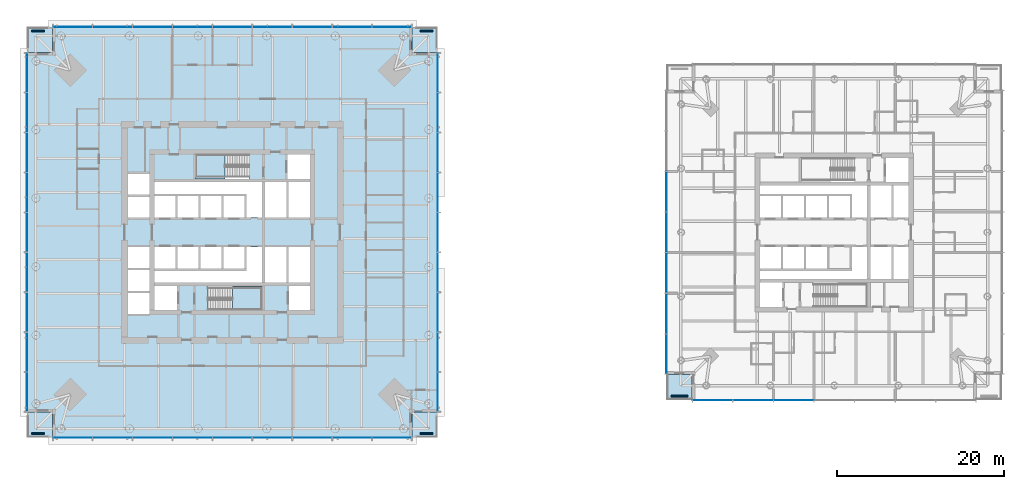
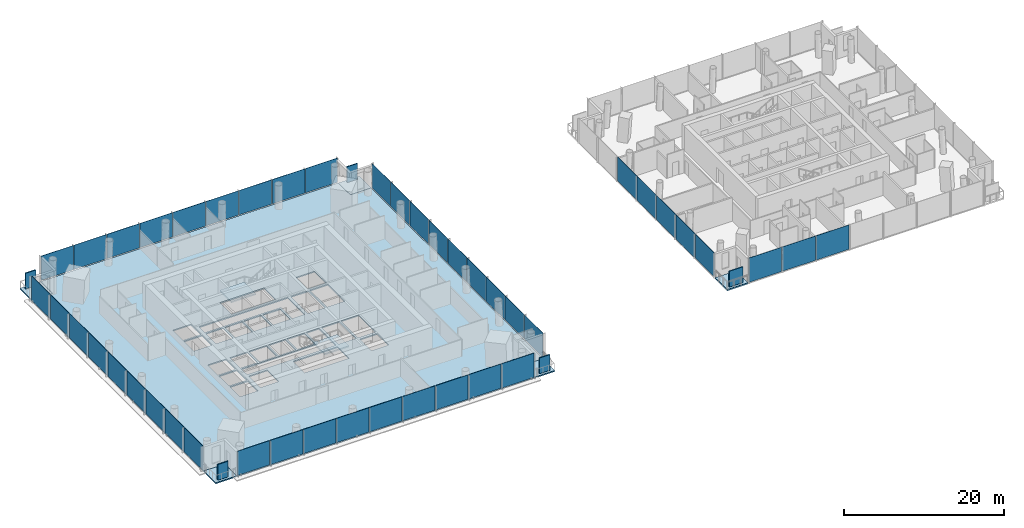
# One storey, part 7 of 26: 49 plates, 8 slabs, 8 elements without a shape of their own.
"""IFC4 building model written with IfcOpenShell, lengths in metres."""

from ifc_helpers import new_model, si_unit, direction, frame, origin, origin_2d, place, context, subcontext, project, spatial, polyline, rectangle, outline, extrude, material, layer, layer_set, type_object, element, aggregate, save


model = new_model("IFC4")

# Units and contexts
model_context = context("Model", 3, precision=1e-05, world=origin(), true_north=direction((0.0, 1.0)))
body_context = subcontext(model_context, "Body", "Model", "MODEL_VIEW")
ifc_project = project(units=[si_unit("LENGTHUNIT", "METRE"), si_unit("AREAUNIT", "SQUARE_METRE"), si_unit("VOLUMEUNIT", "CUBIC_METRE"), si_unit("PLANEANGLEUNIT", "RADIAN"), si_unit("MASSUNIT", "GRAM", prefix="KILO")], contexts=[model_context])

# Site, building, storey
site_placement = place(None, origin())
site = spatial("IfcSite", under=ifc_project, at=site_placement, CompositionType="ELEMENT")
building_placement = place(site_placement, origin())
building = spatial("IfcBuilding", under=site, at=building_placement, Name="Ostroluk Exchange", CompositionType="ELEMENT")
storey_placement = place(building_placement, frame((0.0, 0.0, 36.199951171875)))
storey = spatial("IfcBuildingStorey", under=building, at=storey_placement, Name="L08", CompositionType="ELEMENT", Elevation=36.199951171875)

# Curtain wall, plates
ifc_material_1 = material(Name="Laminated clear glass", Category="glass")
curtain_wall_type_1 = type_object("IfcCurtainWallType", Name="Hotel guest floor facade", PredefinedType="USERDEFINED", material=ifc_material_1)
curtain_wall_1_placement = place(storey_placement, origin())
curtain_wall_1 = element("IfcCurtainWall", 1, at=curtain_wall_1_placement, inside=storey, type_object=curtain_wall_type_1, Name="Hotel tower south facade L08", ObjectType="UNITISED CURTAIN WALL", PredefinedType="USERDEFINED")
ifc_material_2 = material(Name="Laminated clear glass", Category="glass")
ifc_layer_1 = layer(ifc_material_2, 0.0400390625)
ifc_layer_set_1 = layer_set([ifc_layer_1], Name="Acoustic laminated glazing 40")
plate_type_1 = type_object("IfcPlateType", Name="Acoustic laminated glazing 40", PredefinedType="CURTAIN_PANEL", material=ifc_layer_set_1)
plate_1_placement = place(storey_placement, frame((102.448486328125, 25.925048828125, 0.080078125), z_axis=(0.0, 0.0, 1.0), x_axis=(1.0, 0.0, 0.0)))
plate_1 = element("IfcPlate", 2, at=plate_1_placement, type_object=plate_type_1, Name="CW-H1 panel 1.1", PredefinedType="CURTAIN_PANEL", context=body_context, shape_type="SweptSolid", body=[
    extrude(rectangle(XDim=4.737060546875, YDim=0.0400390625, at=origin_2d()), origin(), (0.0, 0.0, 1.0), 3.719970703125),
])
plate_2_placement = place(storey_placement, frame((107.28564453125, 25.925048828125, 0.080078125), z_axis=(0.0, 0.0, 1.0), x_axis=(1.0, 0.0, 0.0)))
plate_2 = element("IfcPlate", 3, at=plate_2_placement, type_object=plate_type_1, Name="CW-H1 panel 2.1", PredefinedType="CURTAIN_PANEL", context=body_context, shape_type="SweptSolid", body=[
    extrude(rectangle(XDim=4.777099609375, YDim=0.0400390625, at=origin_2d()), origin(), (0.0, 0.0, 1.0), 3.719970703125),
])
plate_3_placement = place(storey_placement, frame((112.142822265625, 25.925048828125, 0.080078125), z_axis=(0.0, 0.0, 1.0), x_axis=(1.0, 0.0, 0.0)))
plate_3 = element("IfcPlate", 4, at=plate_3_placement, type_object=plate_type_1, Name="CW-H1 panel 3.1", PredefinedType="CURTAIN_PANEL", context=body_context, shape_type="SweptSolid", body=[
    extrude(rectangle(XDim=4.777099609375, YDim=0.0400390625, at=origin_2d()), origin(), (0.0, 0.0, 1.0), 3.719970703125),
])
aggregate(curtain_wall_1, [plate_1, plate_2, plate_3])

curtain_wall_2_placement = place(storey_placement, origin())
curtain_wall_2 = element("IfcCurtainWall", 5, at=curtain_wall_2_placement, inside=storey, type_object=curtain_wall_type_1, Name="Hotel tower west facade L08", ObjectType="UNITISED CURTAIN WALL", PredefinedType="USERDEFINED")
plate_4_placement = place(storey_placement, frame((96.925048828125, 50.857177734375, 0.080078125), z_axis=(0.0, 0.0, 1.0), x_axis=(0.0, -1.0, 0.0)))
plate_4 = element("IfcPlate", 6, at=plate_4_placement, type_object=plate_type_1, Name="CW-H1 panel 3.1", PredefinedType="CURTAIN_PANEL", context=body_context, shape_type="SweptSolid", body=[
    extrude(rectangle(XDim=4.777099609375, YDim=0.0400390625, at=origin_2d()), origin(), (0.0, 0.0, 1.0), 3.719970703125),
])
plate_5_placement = place(storey_placement, frame((96.925048828125, 46.0, 0.080078125), z_axis=(0.0, 0.0, 1.0), x_axis=(0.0, -1.0, 0.0)))
plate_5 = element("IfcPlate", 7, at=plate_5_placement, type_object=plate_type_1, Name="CW-H1 panel 4.1", PredefinedType="CURTAIN_PANEL", context=body_context, shape_type="SweptSolid", body=[
    extrude(rectangle(XDim=4.777099609375, YDim=0.0400390625, at=origin_2d()), origin(), (0.0, 0.0, 1.0), 3.719970703125),
])
plate_6_placement = place(storey_placement, frame((96.925048828125, 41.142822265625, 0.080078125), z_axis=(0.0, 0.0, 1.0), x_axis=(0.0, -1.0, 0.0)))
plate_6 = element("IfcPlate", 8, at=plate_6_placement, type_object=plate_type_1, Name="CW-H1 panel 5.1", PredefinedType="CURTAIN_PANEL", context=body_context, shape_type="SweptSolid", body=[
    extrude(rectangle(XDim=4.777099609375, YDim=0.0400390625, at=origin_2d()), origin(), (0.0, 0.0, 1.0), 3.719970703125),
])
plate_7_placement = place(storey_placement, frame((96.925048828125, 36.28564453125, 0.080078125), z_axis=(0.0, 0.0, 1.0), x_axis=(0.0, -1.0, 0.0)))
plate_7 = element("IfcPlate", 9, at=plate_7_placement, type_object=plate_type_1, Name="CW-H1 panel 6.1", PredefinedType="CURTAIN_PANEL", context=body_context, shape_type="SweptSolid", body=[
    extrude(rectangle(XDim=4.777099609375, YDim=0.0400390625, at=origin_2d()), origin(), (0.0, 0.0, 1.0), 3.719970703125),
])
plate_8_placement = place(storey_placement, frame((96.925048828125, 31.448486328125, 0.080078125), z_axis=(0.0, 0.0, 1.0), x_axis=(0.0, -1.0, 0.0)))
plate_8 = element("IfcPlate", 10, at=plate_8_placement, type_object=plate_type_1, Name="CW-H1 panel 7.1", PredefinedType="CURTAIN_PANEL", context=body_context, shape_type="SweptSolid", body=[
    extrude(rectangle(XDim=4.737060546875, YDim=0.0400390625, at=origin_2d()), origin(), (0.0, 0.0, 1.0), 3.719970703125),
])
aggregate(curtain_wall_2, [plate_4, plate_5, plate_6, plate_7, plate_8])

# Slabs
ifc_material_3 = material(Name="Concrete C35/45", Category="concrete")
ifc_layer_2 = layer(ifc_material_3, 0.179931640625)
ifc_layer_set_2 = layer_set([ifc_layer_2], Name="Balcony slab 180")
slab_type_1 = type_object("IfcSlabType", Name="Balcony slab 180", PredefinedType="USERDEFINED", material=ifc_layer_set_2)
slab_1_placement = place(storey_placement, frame((0.0, 0.0, -0.179931640625)))
element("IfcSlab", 11, at=slab_1_placement, inside=storey, type_object=slab_type_1, Name="Office tower SE corner balcony L08", ObjectType="BALCONY", PredefinedType="USERDEFINED", context=body_context, shape_type="SweptSolid", body=[
    extrude(outline(polyline([(66.5, 21.5), (69.5, 21.5), (69.5, 24.5), (66.5, 24.5), (66.5, 21.5)])), origin(), (0.0, 0.0, 1.0), 0.179931640625),
])
slab_2_placement = place(storey_placement, frame((0.0, 0.0, -0.179931640625)))
element("IfcSlab", 12, at=slab_2_placement, inside=storey, type_object=slab_type_1, Name="Office tower NE corner balcony L08", ObjectType="BALCONY", PredefinedType="USERDEFINED", context=body_context, shape_type="SweptSolid", body=[
    extrude(outline(polyline([(66.5, 67.5), (69.5, 67.5), (69.5, 70.5), (66.5, 70.5), (66.5, 67.5)])), origin(), (0.0, 0.0, 1.0), 0.179931640625),
])
slab_3_placement = place(storey_placement, frame((0.0, 0.0, -0.179931640625)))
element("IfcSlab", 13, at=slab_3_placement, inside=storey, type_object=slab_type_1, Name="Office tower NW corner balcony L08", ObjectType="BALCONY", PredefinedType="USERDEFINED", context=body_context, shape_type="SweptSolid", body=[
    extrude(outline(polyline([(20.5, 67.5), (23.5, 67.5), (23.5, 70.5), (20.5, 70.5), (20.5, 67.5)])), origin(), (0.0, 0.0, 1.0), 0.179931640625),
])
slab_4_placement = place(storey_placement, frame((0.0, 0.0, -0.179931640625)))
element("IfcSlab", 14, at=slab_4_placement, inside=storey, type_object=slab_type_1, Name="Office tower SW corner balcony L08", ObjectType="BALCONY", PredefinedType="USERDEFINED", context=body_context, shape_type="SweptSolid", body=[
    extrude(outline(polyline([(20.5, 21.5), (23.5, 21.5), (23.5, 24.5), (20.5, 24.5), (20.5, 21.5)])), origin(), (0.0, 0.0, 1.0), 0.179931640625),
])
ifc_material_4 = material(Name="Concrete C35/45", Category="concrete")
ifc_layer_3 = layer(ifc_material_4, 0.199951171875)
ifc_layer_set_3 = layer_set([ifc_layer_3], Name="Balcony slab 200")
slab_type_2 = type_object("IfcSlabType", Name="Balcony slab 200", PredefinedType="USERDEFINED", material=ifc_layer_set_3)
slab_5_placement = place(storey_placement, frame((0.0, 0.0, -0.199951171875)))
element("IfcSlab", 15, at=slab_5_placement, inside=storey, type_object=slab_type_2, Name="Hotel tower SW corner balcony L08", ObjectType="BALCONY", PredefinedType="USERDEFINED", context=body_context, shape_type="SweptSolid", body=[
    extrude(outline(polyline([(97.0, 26.0), (100.0, 26.0), (100.0, 29.0), (97.0, 29.0), (97.0, 26.0)])), origin(), (0.0, 0.0, 1.0), 0.199951171875),
])

# Plates
ifc_material_5 = material(Name="Steel S355 trellis with planting", Category="steel")
ifc_layer_4 = layer(ifc_material_5, 0.14990234375)
ifc_layer_set_4 = layer_set([ifc_layer_4], Name="Planted screen 150")
plate_type_2 = type_object("IfcPlateType", Name="Planted screen 150", PredefinedType="USERDEFINED", material=ifc_layer_set_4)
for number, where, z_axis, x_axis, name in (
    (16, (68.25, 21.925048828125, 0.0), (0.0, 0.0, 1.0), (1.0, 0.0, 0.0), "Office tower SE planted screen L08"),
    (17, (68.25, 70.074951171875, 0.0), (0.0, 0.0, 1.0), (1.0, 0.0, 0.0), "Office tower NE planted screen L08"),
    (18, (21.75, 70.074951171875, 0.0), (0.0, 0.0, 1.0), (1.0, 0.0, 0.0), "Office tower NW planted screen L08"),
    (19, (21.75, 21.925048828125, 0.0), (0.0, 0.0, 1.0), (1.0, 0.0, 0.0), "Office tower SW planted screen L08"),
):
    element("IfcPlate", number, at=place(storey_placement, frame(where, z_axis=z_axis, x_axis=x_axis)), inside=storey, type_object=plate_type_2, Name=name, ObjectType="PLANTED SCREEN", PredefinedType="USERDEFINED", context=body_context, shape_type="SweptSolid", body=[
        extrude(rectangle(XDim=1.5, YDim=0.14990234375, at=origin_2d()), origin(), (0.0, 0.0, 1.0), 2.39990234375),
    ])
plate_9_placement = place(storey_placement, frame((98.5, 26.425048828125, 0.0), z_axis=(0.0, 0.0, 1.0), x_axis=(1.0, 0.0, 0.0)))
element("IfcPlate", 20, at=plate_9_placement, inside=storey, type_object=plate_type_2, Name="Hotel tower SW planted screen L08", ObjectType="PLANTED SCREEN", PredefinedType="USERDEFINED", context=body_context, shape_type="SweptSolid", body=[
    extrude(rectangle(XDim=2.0, YDim=0.14990234375, at=origin_2d()), origin(), (0.0, 0.0, 1.0), 2.39990234375),
])

# Stair, slab
ifc_material_6 = material(Name="Concrete C30/37", Category="concrete")
stair_type = type_object("IfcStairType", Name="Exit stair half turn 3800", PredefinedType="HALF_TURN_STAIR", material=ifc_material_6)
stair_1_placement = place(storey_placement, origin())
stair_1 = element("IfcStair", 21, at=stair_1_placement, inside=storey, type_object=stair_type, Name="Stair T1-S1 L08", PredefinedType="HALF_TURN_STAIR")
ifc_material_7 = material(Name="Concrete C30/37", Category="concrete")
ifc_layer_5 = layer(ifc_material_7, 0.199951171875)
ifc_layer_set_5 = layer_set([ifc_layer_5], Name="Stair landing 200")
slab_type_3 = type_object("IfcSlabType", Name="Stair landing 200", PredefinedType="LANDING", material=ifc_layer_set_5)
slab_6_placement = place(storey_placement, frame((0.0, 0.0, 1.699951171875)))
slab_6 = element("IfcSlab", 22, at=slab_6_placement, type_object=slab_type_3, Name="T1-S1 landing 1", PredefinedType="LANDING", context=body_context, shape_type="SweptSolid", body=[
    extrude(outline(polyline([(45.0, 36.699951171875), (45.0, 39.60009765625), (48.530029296875, 39.60009765625), (48.530029296875, 36.699951171875), (45.0, 36.699951171875)])), origin(), (0.0, 0.0, 1.0), 0.2001953125),
])
aggregate(stair_1, [slab_6])

stair_2_placement = place(storey_placement, origin())
stair_2 = element("IfcStair", 23, at=stair_2_placement, inside=storey, type_object=stair_type, Name="Stair T1-S2 L08", PredefinedType="HALF_TURN_STAIR")
slab_7_placement = place(storey_placement, frame((0.0, 0.0, 1.699951171875)))
slab_7 = element("IfcSlab", 24, at=slab_7_placement, type_object=slab_type_3, Name="T1-S2 landing 1", PredefinedType="LANDING", context=body_context, shape_type="SweptSolid", body=[
    extrude(outline(polyline([(44.1298828125, 52.39990234375), (44.1298828125, 55.300048828125), (40.60009765625, 55.300048828125), (40.60009765625, 52.39990234375), (44.1298828125, 52.39990234375)])), origin(), (0.0, 0.0, 1.0), 0.2001953125),
])
aggregate(stair_2, [slab_7])

# Slab
ifc_material_8 = material(Name="Concrete C35/45", Category="concrete")
ifc_layer_6 = layer(ifc_material_8, 0.179931640625)
ifc_layer_set_6 = layer_set([ifc_layer_6], Name="Tower floor slab 180 composite")
slab_type_4 = type_object("IfcSlabType", Name="Tower floor slab 180 composite", PredefinedType="FLOOR", material=ifc_layer_set_6)
slab_8_placement = place(storey_placement, frame((0.0, 0.0, -0.179931640625)))
element("IfcSlab", 25, at=slab_8_placement, inside=storey, type_object=slab_type_4, Name="Office tower floor slab L08", PredefinedType="FLOOR", context=body_context, shape_type="SweptSolid", body=[
    extrude(outline(polyline([(23.5, 21.5), (66.5, 21.5), (66.5, 24.5), (69.5, 24.5), (69.5, 67.5), (66.5, 67.5), (66.5, 70.5), (23.5, 70.5), (23.5, 67.5), (20.5, 67.5), (20.5, 24.5), (23.5, 24.5), (23.5, 21.5)]), holes=[polyline([(35.699951171875, 36.699951171875), (38.39990234375, 36.699951171875), (38.39990234375, 39.60009765625), (35.699951171875, 39.60009765625), (35.699951171875, 36.699951171875)]), polyline([(42.110107421875, 36.699951171875), (48.530029296875, 36.699951171875), (48.530029296875, 39.60009765625), (42.110107421875, 39.60009765625), (42.110107421875, 36.699951171875)]), polyline([(51.800048828125, 36.699951171875), (54.300048828125, 36.699951171875), (54.300048828125, 39.60009765625), (51.800048828125, 39.60009765625), (51.800048828125, 36.699951171875)]), polyline([(40.60009765625, 52.39990234375), (47.02001953125, 52.39990234375), (47.02001953125, 55.300048828125), (40.60009765625, 55.300048828125), (40.60009765625, 52.39990234375)]), polyline([(51.60009765625, 52.39990234375), (54.300048828125, 52.39990234375), (54.300048828125, 55.300048828125), (51.60009765625, 55.300048828125), (51.60009765625, 52.39990234375)]), polyline([(35.699951171875, 47.75), (38.199951171875, 47.75), (38.199951171875, 50.35009765625), (35.699951171875, 50.35009765625), (35.699951171875, 47.75)]), polyline([(38.449951171875, 47.75), (40.949951171875, 47.75), (40.949951171875, 50.35009765625), (38.449951171875, 50.35009765625), (38.449951171875, 47.75)]), polyline([(41.199951171875, 47.75), (43.699951171875, 47.75), (43.699951171875, 50.35009765625), (41.199951171875, 50.35009765625), (41.199951171875, 47.75)]), polyline([(43.949951171875, 47.75), (46.449951171875, 47.75), (46.449951171875, 50.35009765625), (43.949951171875, 50.35009765625), (43.949951171875, 47.75)]), polyline([(35.699951171875, 41.64990234375), (38.199951171875, 41.64990234375), (38.199951171875, 44.25), (35.699951171875, 44.25), (35.699951171875, 41.64990234375)]), polyline([(38.449951171875, 41.64990234375), (40.949951171875, 41.64990234375), (40.949951171875, 44.25), (38.449951171875, 44.25), (38.449951171875, 41.64990234375)]), polyline([(41.199951171875, 41.64990234375), (43.699951171875, 41.64990234375), (43.699951171875, 44.25), (41.199951171875, 44.25), (41.199951171875, 41.64990234375)]), polyline([(43.949951171875, 41.64990234375), (46.449951171875, 41.64990234375), (46.449951171875, 44.25), (43.949951171875, 44.25), (43.949951171875, 41.64990234375)]), polyline([(48.929931640625, 47.75), (51.489990234375, 47.75), (51.489990234375, 52.0), (48.929931640625, 52.0), (48.929931640625, 47.75)]), polyline([(51.739990234375, 47.75), (54.300048828125, 47.75), (54.300048828125, 52.0), (51.739990234375, 52.0), (51.739990234375, 47.75)]), polyline([(48.929931640625, 40.0), (51.489990234375, 40.0), (51.489990234375, 44.25), (48.929931640625, 44.25), (48.929931640625, 40.0)]), polyline([(51.739990234375, 40.0), (54.300048828125, 40.0), (54.300048828125, 44.25), (51.739990234375, 44.25), (51.739990234375, 40.0)]), polyline([(48.530029296875, 52.0), (48.530029296875, 47.75), (46.699951171875, 47.75), (46.699951171875, 50.60009765625), (35.699951171875, 50.60009765625), (35.699951171875, 52.0), (48.530029296875, 52.0)]), polyline([(35.699951171875, 40.0), (35.699951171875, 41.39990234375), (46.699951171875, 41.39990234375), (46.699951171875, 44.25), (48.530029296875, 44.25), (48.530029296875, 40.0), (35.699951171875, 40.0)]), polyline([(32.5, 36.25), (35.10009765625, 36.25), (35.10009765625, 38.75), (32.5, 38.75), (32.5, 36.25)]), polyline([(32.5, 39.0), (35.10009765625, 39.0), (35.10009765625, 41.5), (32.5, 41.5), (32.5, 39.0)]), polyline([(32.5, 41.75), (35.10009765625, 41.75), (35.10009765625, 44.25), (32.5, 44.25), (32.5, 41.75)]), polyline([(32.5, 47.75), (35.10009765625, 47.75), (35.10009765625, 50.25), (32.5, 50.25), (32.5, 47.75)]), polyline([(32.5, 50.5), (35.10009765625, 50.5), (35.10009765625, 53.0), (32.5, 53.0), (32.5, 50.5)])]), origin(), (0.0, 0.0, 1.0), 0.179931640625),
])

# Curtain wall, plates
ifc_material_9 = material(Name="Laminated clear glass", Category="glass")
curtain_wall_type_2 = type_object("IfcCurtainWallType", Name="Office tower facade", PredefinedType="USERDEFINED", material=ifc_material_9)
curtain_wall_3_placement = place(storey_placement, origin())
curtain_wall_3 = element("IfcCurtainWall", 26, at=curtain_wall_3_placement, inside=storey, type_object=curtain_wall_type_2, Name="Office tower south facade L08", ObjectType="UNITISED CURTAIN WALL", PredefinedType="USERDEFINED")
ifc_material_10 = material(Name="Laminated clear glass", Category="glass")
ifc_layer_7 = layer(ifc_material_10, 0.0439453125)
ifc_layer_set_7 = layer_set([ifc_layer_7], Name="Triple laminated clear glazing 44")
plate_type_3 = type_object("IfcPlateType", Name="Triple laminated clear glazing 44", PredefinedType="CURTAIN_PANEL", material=ifc_layer_set_7)
plate_10_placement = place(storey_placement, frame((25.908935546875, 21.425048828125, 0.080078125), z_axis=(0.0, 0.0, 1.0), x_axis=(1.0, 0.0, 0.0)))
plate_10 = element("IfcPlate", 27, at=plate_10_placement, type_object=plate_type_3, Name="CW-O1 panel 1.1", PredefinedType="CURTAIN_PANEL", context=body_context, shape_type="SweptSolid", body=[
    extrude(rectangle(XDim=4.65771484375, YDim=0.0439453125, at=origin_2d()), origin(), (0.0, 0.0, 1.0), 3.719970703125),
])
plate_11_placement = place(storey_placement, frame((30.666748046875, 21.425048828125, 0.080078125), z_axis=(0.0, 0.0, 1.0), x_axis=(1.0, 0.0, 0.0)))
plate_11 = element("IfcPlate", 28, at=plate_11_placement, type_object=plate_type_3, Name="CW-O1 panel 2.1", PredefinedType="CURTAIN_PANEL", context=body_context, shape_type="SweptSolid", body=[
    extrude(rectangle(XDim=4.69775390625, YDim=0.0439453125, at=origin_2d()), origin(), (0.0, 0.0, 1.0), 3.719970703125),
])
plate_12_placement = place(storey_placement, frame((35.4443359375, 21.425048828125, 0.080078125), z_axis=(0.0, 0.0, 1.0), x_axis=(1.0, 0.0, 0.0)))
plate_12 = element("IfcPlate", 29, at=plate_12_placement, type_object=plate_type_3, Name="CW-O1 panel 3.1", PredefinedType="CURTAIN_PANEL", context=body_context, shape_type="SweptSolid", body=[
    extrude(rectangle(XDim=4.69775390625, YDim=0.0439453125, at=origin_2d()), origin(), (0.0, 0.0, 1.0), 3.719970703125),
])
plate_13_placement = place(storey_placement, frame((40.22216796875, 21.425048828125, 0.080078125), z_axis=(0.0, 0.0, 1.0), x_axis=(1.0, 0.0, 0.0)))
plate_13 = element("IfcPlate", 30, at=plate_13_placement, type_object=plate_type_3, Name="CW-O1 panel 4.1", PredefinedType="CURTAIN_PANEL", context=body_context, shape_type="SweptSolid", body=[
    extrude(rectangle(XDim=4.69775390625, YDim=0.0439453125, at=origin_2d()), origin(), (0.0, 0.0, 1.0), 3.719970703125),
])
plate_14_placement = place(storey_placement, frame((45.0, 21.425048828125, 0.080078125), z_axis=(0.0, 0.0, 1.0), x_axis=(1.0, 0.0, 0.0)))
plate_14 = element("IfcPlate", 31, at=plate_14_placement, type_object=plate_type_3, Name="CW-O1 panel 5.1", PredefinedType="CURTAIN_PANEL", context=body_context, shape_type="SweptSolid", body=[
    extrude(rectangle(XDim=4.69775390625, YDim=0.0439453125, at=origin_2d()), origin(), (0.0, 0.0, 1.0), 3.719970703125),
])
plate_15_placement = place(storey_placement, frame((49.77783203125, 21.425048828125, 0.080078125), z_axis=(0.0, 0.0, 1.0), x_axis=(1.0, 0.0, 0.0)))
plate_15 = element("IfcPlate", 32, at=plate_15_placement, type_object=plate_type_3, Name="CW-O1 panel 6.1", PredefinedType="CURTAIN_PANEL", context=body_context, shape_type="SweptSolid", body=[
    extrude(rectangle(XDim=4.69775390625, YDim=0.0439453125, at=origin_2d()), origin(), (0.0, 0.0, 1.0), 3.719970703125),
])
plate_16_placement = place(storey_placement, frame((54.5556640625, 21.425048828125, 0.080078125), z_axis=(0.0, 0.0, 1.0), x_axis=(1.0, 0.0, 0.0)))
plate_16 = element("IfcPlate", 33, at=plate_16_placement, type_object=plate_type_3, Name="CW-O1 panel 7.1", PredefinedType="CURTAIN_PANEL", context=body_context, shape_type="SweptSolid", body=[
    extrude(rectangle(XDim=4.69775390625, YDim=0.0439453125, at=origin_2d()), origin(), (0.0, 0.0, 1.0), 3.719970703125),
])
plate_17_placement = place(storey_placement, frame((59.333251953125, 21.425048828125, 0.080078125), z_axis=(0.0, 0.0, 1.0), x_axis=(1.0, 0.0, 0.0)))
plate_17 = element("IfcPlate", 34, at=plate_17_placement, type_object=plate_type_3, Name="CW-O1 panel 8.1", PredefinedType="CURTAIN_PANEL", context=body_context, shape_type="SweptSolid", body=[
    extrude(rectangle(XDim=4.69775390625, YDim=0.0439453125, at=origin_2d()), origin(), (0.0, 0.0, 1.0), 3.719970703125),
])
plate_18_placement = place(storey_placement, frame((64.091064453125, 21.425048828125, 0.080078125), z_axis=(0.0, 0.0, 1.0), x_axis=(1.0, 0.0, 0.0)))
plate_18 = element("IfcPlate", 35, at=plate_18_placement, type_object=plate_type_3, Name="CW-O1 panel 9.1", PredefinedType="CURTAIN_PANEL", context=body_context, shape_type="SweptSolid", body=[
    extrude(rectangle(XDim=4.65771484375, YDim=0.0439453125, at=origin_2d()), origin(), (0.0, 0.0, 1.0), 3.719970703125),
])
aggregate(curtain_wall_3, [plate_10, plate_11, plate_12, plate_13, plate_14, plate_15, plate_16, plate_17, plate_18])

curtain_wall_4_placement = place(storey_placement, origin())
curtain_wall_4 = element("IfcCurtainWall", 36, at=curtain_wall_4_placement, inside=storey, type_object=curtain_wall_type_2, Name="Office tower east facade L08", ObjectType="UNITISED CURTAIN WALL", PredefinedType="USERDEFINED")
plate_19_placement = place(storey_placement, frame((69.574951171875, 26.908935546875, 0.080078125), z_axis=(0.0, 0.0, 1.0), x_axis=(0.0, 1.0, 0.0)))
plate_19 = element("IfcPlate", 37, at=plate_19_placement, type_object=plate_type_3, Name="CW-O1 panel 1.1", PredefinedType="CURTAIN_PANEL", context=body_context, shape_type="SweptSolid", body=[
    extrude(rectangle(XDim=4.65771484375, YDim=0.0439453125, at=origin_2d()), origin(), (0.0, 0.0, 1.0), 3.719970703125),
])
plate_20_placement = place(storey_placement, frame((69.574951171875, 31.666748046875, 0.080078125), z_axis=(0.0, 0.0, 1.0), x_axis=(0.0, 1.0, 0.0)))
plate_20 = element("IfcPlate", 38, at=plate_20_placement, type_object=plate_type_3, Name="CW-O1 panel 2.1", PredefinedType="CURTAIN_PANEL", context=body_context, shape_type="SweptSolid", body=[
    extrude(rectangle(XDim=4.69775390625, YDim=0.0439453125, at=origin_2d()), origin(), (0.0, 0.0, 1.0), 3.719970703125),
])
plate_21_placement = place(storey_placement, frame((69.574951171875, 36.4443359375, 0.080078125), z_axis=(0.0, 0.0, 1.0), x_axis=(0.0, 1.0, 0.0)))
plate_21 = element("IfcPlate", 39, at=plate_21_placement, type_object=plate_type_3, Name="CW-O1 panel 3.1", PredefinedType="CURTAIN_PANEL", context=body_context, shape_type="SweptSolid", body=[
    extrude(rectangle(XDim=4.69775390625, YDim=0.0439453125, at=origin_2d()), origin(), (0.0, 0.0, 1.0), 3.719970703125),
])
plate_22_placement = place(storey_placement, frame((69.574951171875, 41.22216796875, 0.080078125), z_axis=(0.0, 0.0, 1.0), x_axis=(0.0, 1.0, 0.0)))
plate_22 = element("IfcPlate", 40, at=plate_22_placement, type_object=plate_type_3, Name="CW-O1 panel 4.1", PredefinedType="CURTAIN_PANEL", context=body_context, shape_type="SweptSolid", body=[
    extrude(rectangle(XDim=4.69775390625, YDim=0.0439453125, at=origin_2d()), origin(), (0.0, 0.0, 1.0), 3.719970703125),
])
plate_23_placement = place(storey_placement, frame((69.574951171875, 46.0, 0.080078125), z_axis=(0.0, 0.0, 1.0), x_axis=(0.0, 1.0, 0.0)))
plate_23 = element("IfcPlate", 41, at=plate_23_placement, type_object=plate_type_3, Name="CW-O1 panel 5.1", PredefinedType="CURTAIN_PANEL", context=body_context, shape_type="SweptSolid", body=[
    extrude(rectangle(XDim=4.69775390625, YDim=0.0439453125, at=origin_2d()), origin(), (0.0, 0.0, 1.0), 3.719970703125),
])
plate_24_placement = place(storey_placement, frame((69.574951171875, 50.77783203125, 0.080078125), z_axis=(0.0, 0.0, 1.0), x_axis=(0.0, 1.0, 0.0)))
plate_24 = element("IfcPlate", 42, at=plate_24_placement, type_object=plate_type_3, Name="CW-O1 panel 6.1", PredefinedType="CURTAIN_PANEL", context=body_context, shape_type="SweptSolid", body=[
    extrude(rectangle(XDim=4.69775390625, YDim=0.0439453125, at=origin_2d()), origin(), (0.0, 0.0, 1.0), 3.719970703125),
])
plate_25_placement = place(storey_placement, frame((69.574951171875, 55.5556640625, 0.080078125), z_axis=(0.0, 0.0, 1.0), x_axis=(0.0, 1.0, 0.0)))
plate_25 = element("IfcPlate", 43, at=plate_25_placement, type_object=plate_type_3, Name="CW-O1 panel 7.1", PredefinedType="CURTAIN_PANEL", context=body_context, shape_type="SweptSolid", body=[
    extrude(rectangle(XDim=4.69775390625, YDim=0.0439453125, at=origin_2d()), origin(), (0.0, 0.0, 1.0), 3.719970703125),
])
plate_26_placement = place(storey_placement, frame((69.574951171875, 60.333251953125, 0.080078125), z_axis=(0.0, 0.0, 1.0), x_axis=(0.0, 1.0, 0.0)))
plate_26 = element("IfcPlate", 44, at=plate_26_placement, type_object=plate_type_3, Name="CW-O1 panel 8.1", PredefinedType="CURTAIN_PANEL", context=body_context, shape_type="SweptSolid", body=[
    extrude(rectangle(XDim=4.69775390625, YDim=0.0439453125, at=origin_2d()), origin(), (0.0, 0.0, 1.0), 3.719970703125),
])
plate_27_placement = place(storey_placement, frame((69.574951171875, 65.091064453125, 0.080078125), z_axis=(0.0, 0.0, 1.0), x_axis=(0.0, 1.0, 0.0)))
plate_27 = element("IfcPlate", 45, at=plate_27_placement, type_object=plate_type_3, Name="CW-O1 panel 9.1", PredefinedType="CURTAIN_PANEL", context=body_context, shape_type="SweptSolid", body=[
    extrude(rectangle(XDim=4.65771484375, YDim=0.0439453125, at=origin_2d()), origin(), (0.0, 0.0, 1.0), 3.719970703125),
])
aggregate(curtain_wall_4, [plate_19, plate_20, plate_21, plate_22, plate_23, plate_24, plate_25, plate_26, plate_27])

curtain_wall_5_placement = place(storey_placement, origin())
curtain_wall_5 = element("IfcCurtainWall", 46, at=curtain_wall_5_placement, inside=storey, type_object=curtain_wall_type_2, Name="Office tower north facade L08", ObjectType="UNITISED CURTAIN WALL", PredefinedType="USERDEFINED")
plate_28_placement = place(storey_placement, frame((64.091064453125, 70.574951171875, 0.080078125), z_axis=(0.0, 0.0, 1.0), x_axis=(-1.0, 0.0, 0.0)))
plate_28 = element("IfcPlate", 47, at=plate_28_placement, type_object=plate_type_3, Name="CW-O1 panel 1.1", PredefinedType="CURTAIN_PANEL", context=body_context, shape_type="SweptSolid", body=[
    extrude(rectangle(XDim=4.65771484375, YDim=0.0439453125, at=origin_2d()), origin(), (0.0, 0.0, 1.0), 3.719970703125),
])
plate_29_placement = place(storey_placement, frame((59.333251953125, 70.574951171875, 0.080078125), z_axis=(0.0, 0.0, 1.0), x_axis=(-1.0, 0.0, 0.0)))
plate_29 = element("IfcPlate", 48, at=plate_29_placement, type_object=plate_type_3, Name="CW-O1 panel 2.1", PredefinedType="CURTAIN_PANEL", context=body_context, shape_type="SweptSolid", body=[
    extrude(rectangle(XDim=4.69775390625, YDim=0.0439453125, at=origin_2d()), origin(), (0.0, 0.0, 1.0), 3.719970703125),
])
plate_30_placement = place(storey_placement, frame((54.5556640625, 70.574951171875, 0.080078125), z_axis=(0.0, 0.0, 1.0), x_axis=(-1.0, 0.0, 0.0)))
plate_30 = element("IfcPlate", 49, at=plate_30_placement, type_object=plate_type_3, Name="CW-O1 panel 3.1", PredefinedType="CURTAIN_PANEL", context=body_context, shape_type="SweptSolid", body=[
    extrude(rectangle(XDim=4.69775390625, YDim=0.0439453125, at=origin_2d()), origin(), (0.0, 0.0, 1.0), 3.719970703125),
])
plate_31_placement = place(storey_placement, frame((49.77783203125, 70.574951171875, 0.080078125), z_axis=(0.0, 0.0, 1.0), x_axis=(-1.0, 0.0, 0.0)))
plate_31 = element("IfcPlate", 50, at=plate_31_placement, type_object=plate_type_3, Name="CW-O1 panel 4.1", PredefinedType="CURTAIN_PANEL", context=body_context, shape_type="SweptSolid", body=[
    extrude(rectangle(XDim=4.69775390625, YDim=0.0439453125, at=origin_2d()), origin(), (0.0, 0.0, 1.0), 3.719970703125),
])
plate_32_placement = place(storey_placement, frame((45.0, 70.574951171875, 0.080078125), z_axis=(0.0, 0.0, 1.0), x_axis=(-1.0, 0.0, 0.0)))
plate_32 = element("IfcPlate", 51, at=plate_32_placement, type_object=plate_type_3, Name="CW-O1 panel 5.1", PredefinedType="CURTAIN_PANEL", context=body_context, shape_type="SweptSolid", body=[
    extrude(rectangle(XDim=4.69775390625, YDim=0.0439453125, at=origin_2d()), origin(), (0.0, 0.0, 1.0), 3.719970703125),
])
plate_33_placement = place(storey_placement, frame((40.22216796875, 70.574951171875, 0.080078125), z_axis=(0.0, 0.0, 1.0), x_axis=(-1.0, 0.0, 0.0)))
plate_33 = element("IfcPlate", 52, at=plate_33_placement, type_object=plate_type_3, Name="CW-O1 panel 6.1", PredefinedType="CURTAIN_PANEL", context=body_context, shape_type="SweptSolid", body=[
    extrude(rectangle(XDim=4.69775390625, YDim=0.0439453125, at=origin_2d()), origin(), (0.0, 0.0, 1.0), 3.719970703125),
])
plate_34_placement = place(storey_placement, frame((35.4443359375, 70.574951171875, 0.080078125), z_axis=(0.0, 0.0, 1.0), x_axis=(-1.0, 0.0, 0.0)))
plate_34 = element("IfcPlate", 53, at=plate_34_placement, type_object=plate_type_3, Name="CW-O1 panel 7.1", PredefinedType="CURTAIN_PANEL", context=body_context, shape_type="SweptSolid", body=[
    extrude(rectangle(XDim=4.69775390625, YDim=0.0439453125, at=origin_2d()), origin(), (0.0, 0.0, 1.0), 3.719970703125),
])
plate_35_placement = place(storey_placement, frame((30.666748046875, 70.574951171875, 0.080078125), z_axis=(0.0, 0.0, 1.0), x_axis=(-1.0, 0.0, 0.0)))
plate_35 = element("IfcPlate", 54, at=plate_35_placement, type_object=plate_type_3, Name="CW-O1 panel 8.1", PredefinedType="CURTAIN_PANEL", context=body_context, shape_type="SweptSolid", body=[
    extrude(rectangle(XDim=4.69775390625, YDim=0.0439453125, at=origin_2d()), origin(), (0.0, 0.0, 1.0), 3.719970703125),
])
plate_36_placement = place(storey_placement, frame((25.908935546875, 70.574951171875, 0.080078125), z_axis=(0.0, 0.0, 1.0), x_axis=(-1.0, 0.0, 0.0)))
plate_36 = element("IfcPlate", 55, at=plate_36_placement, type_object=plate_type_3, Name="CW-O1 panel 9.1", PredefinedType="CURTAIN_PANEL", context=body_context, shape_type="SweptSolid", body=[
    extrude(rectangle(XDim=4.65771484375, YDim=0.0439453125, at=origin_2d()), origin(), (0.0, 0.0, 1.0), 3.719970703125),
])
aggregate(curtain_wall_5, [plate_28, plate_29, plate_30, plate_31, plate_32, plate_33, plate_34, plate_35, plate_36])

curtain_wall_6_placement = place(storey_placement, origin())
curtain_wall_6 = element("IfcCurtainWall", 56, at=curtain_wall_6_placement, inside=storey, type_object=curtain_wall_type_2, Name="Office tower west facade L08", ObjectType="UNITISED CURTAIN WALL", PredefinedType="USERDEFINED")
plate_37_placement = place(storey_placement, frame((20.425048828125, 65.091064453125, 0.080078125), z_axis=(0.0, 0.0, 1.0), x_axis=(0.0, -1.0, 0.0)))
plate_37 = element("IfcPlate", 57, at=plate_37_placement, type_object=plate_type_3, Name="CW-O1 panel 1.1", PredefinedType="CURTAIN_PANEL", context=body_context, shape_type="SweptSolid", body=[
    extrude(rectangle(XDim=4.65771484375, YDim=0.0439453125, at=origin_2d()), origin(), (0.0, 0.0, 1.0), 3.719970703125),
])
plate_38_placement = place(storey_placement, frame((20.425048828125, 60.333251953125, 0.080078125), z_axis=(0.0, 0.0, 1.0), x_axis=(0.0, -1.0, 0.0)))
plate_38 = element("IfcPlate", 58, at=plate_38_placement, type_object=plate_type_3, Name="CW-O1 panel 2.1", PredefinedType="CURTAIN_PANEL", context=body_context, shape_type="SweptSolid", body=[
    extrude(rectangle(XDim=4.69775390625, YDim=0.0439453125, at=origin_2d()), origin(), (0.0, 0.0, 1.0), 3.719970703125),
])
plate_39_placement = place(storey_placement, frame((20.425048828125, 55.5556640625, 0.080078125), z_axis=(0.0, 0.0, 1.0), x_axis=(0.0, -1.0, 0.0)))
plate_39 = element("IfcPlate", 59, at=plate_39_placement, type_object=plate_type_3, Name="CW-O1 panel 3.1", PredefinedType="CURTAIN_PANEL", context=body_context, shape_type="SweptSolid", body=[
    extrude(rectangle(XDim=4.69775390625, YDim=0.0439453125, at=origin_2d()), origin(), (0.0, 0.0, 1.0), 3.719970703125),
])
plate_40_placement = place(storey_placement, frame((20.425048828125, 50.77783203125, 0.080078125), z_axis=(0.0, 0.0, 1.0), x_axis=(0.0, -1.0, 0.0)))
plate_40 = element("IfcPlate", 60, at=plate_40_placement, type_object=plate_type_3, Name="CW-O1 panel 4.1", PredefinedType="CURTAIN_PANEL", context=body_context, shape_type="SweptSolid", body=[
    extrude(rectangle(XDim=4.69775390625, YDim=0.0439453125, at=origin_2d()), origin(), (0.0, 0.0, 1.0), 3.719970703125),
])
plate_41_placement = place(storey_placement, frame((20.425048828125, 46.0, 0.080078125), z_axis=(0.0, 0.0, 1.0), x_axis=(0.0, -1.0, 0.0)))
plate_41 = element("IfcPlate", 61, at=plate_41_placement, type_object=plate_type_3, Name="CW-O1 panel 5.1", PredefinedType="CURTAIN_PANEL", context=body_context, shape_type="SweptSolid", body=[
    extrude(rectangle(XDim=4.69775390625, YDim=0.0439453125, at=origin_2d()), origin(), (0.0, 0.0, 1.0), 3.719970703125),
])
plate_42_placement = place(storey_placement, frame((20.425048828125, 41.22216796875, 0.080078125), z_axis=(0.0, 0.0, 1.0), x_axis=(0.0, -1.0, 0.0)))
plate_42 = element("IfcPlate", 62, at=plate_42_placement, type_object=plate_type_3, Name="CW-O1 panel 6.1", PredefinedType="CURTAIN_PANEL", context=body_context, shape_type="SweptSolid", body=[
    extrude(rectangle(XDim=4.69775390625, YDim=0.0439453125, at=origin_2d()), origin(), (0.0, 0.0, 1.0), 3.719970703125),
])
plate_43_placement = place(storey_placement, frame((20.425048828125, 36.4443359375, 0.080078125), z_axis=(0.0, 0.0, 1.0), x_axis=(0.0, -1.0, 0.0)))
plate_43 = element("IfcPlate", 63, at=plate_43_placement, type_object=plate_type_3, Name="CW-O1 panel 7.1", PredefinedType="CURTAIN_PANEL", context=body_context, shape_type="SweptSolid", body=[
    extrude(rectangle(XDim=4.69775390625, YDim=0.0439453125, at=origin_2d()), origin(), (0.0, 0.0, 1.0), 3.719970703125),
])
plate_44_placement = place(storey_placement, frame((20.425048828125, 31.666748046875, 0.080078125), z_axis=(0.0, 0.0, 1.0), x_axis=(0.0, -1.0, 0.0)))
plate_44 = element("IfcPlate", 64, at=plate_44_placement, type_object=plate_type_3, Name="CW-O1 panel 8.1", PredefinedType="CURTAIN_PANEL", context=body_context, shape_type="SweptSolid", body=[
    extrude(rectangle(XDim=4.69775390625, YDim=0.0439453125, at=origin_2d()), origin(), (0.0, 0.0, 1.0), 3.719970703125),
])
plate_45_placement = place(storey_placement, frame((20.425048828125, 26.908935546875, 0.080078125), z_axis=(0.0, 0.0, 1.0), x_axis=(0.0, -1.0, 0.0)))
plate_45 = element("IfcPlate", 65, at=plate_45_placement, type_object=plate_type_3, Name="CW-O1 panel 9.1", PredefinedType="CURTAIN_PANEL", context=body_context, shape_type="SweptSolid", body=[
    extrude(rectangle(XDim=4.65771484375, YDim=0.0439453125, at=origin_2d()), origin(), (0.0, 0.0, 1.0), 3.719970703125),
])
aggregate(curtain_wall_6, [plate_37, plate_38, plate_39, plate_40, plate_41, plate_42, plate_43, plate_44, plate_45])

save(model, "model.ifc")
